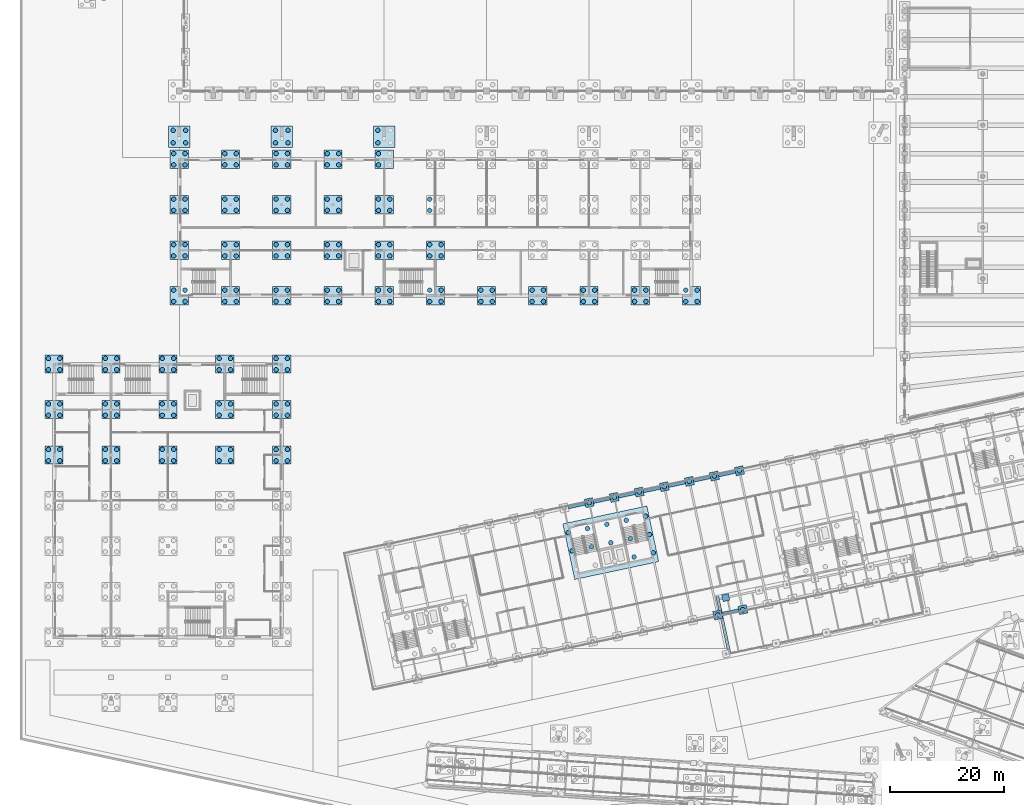
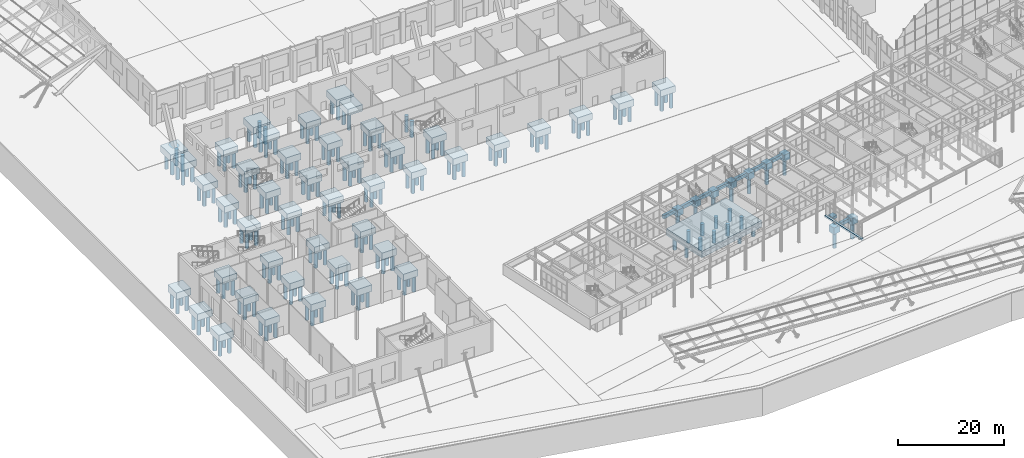
# One storey, part 2 of 239: 199 piles, 65 footings.
"""IFC4 building model written with IfcOpenShell, lengths in metres."""

from ifc_helpers import new_model, si_unit, direction, frame, origin, origin_2d, place, context, subcontext, project, spatial, rectangle, circle, extrude, material, material_profile, profile_set, type_object, element, save


model = new_model("IFC4")

# Units and contexts
model_context = context("Model", 3, precision=1e-05, world=origin(), true_north=direction((0.0, 1.0)))
body_context = subcontext(model_context, "Body", "Model", "MODEL_VIEW")
ifc_project = project(units=[si_unit("LENGTHUNIT", "METRE"), si_unit("AREAUNIT", "SQUARE_METRE"), si_unit("VOLUMEUNIT", "CUBIC_METRE"), si_unit("PLANEANGLEUNIT", "RADIAN"), si_unit("MASSUNIT", "GRAM", prefix="KILO")], contexts=[model_context])

# Site, building, storey
site_placement = place(None, origin())
site = spatial("IfcSite", under=ifc_project, at=site_placement, CompositionType="ELEMENT")
building_placement = place(site_placement, origin())
building = spatial("IfcBuilding", under=site, at=building_placement, Name="Okhra Congress Centre", CompositionType="ELEMENT")
storey_placement = place(building_placement, origin())
storey = spatial("IfcBuildingStorey", under=building, at=storey_placement, Name="L00", CompositionType="ELEMENT", Elevation=0.0)

# Piles
ifc_material_1 = material(Name="Concrete C30/37", Category="concrete")
ifc_material_profile_1 = material_profile(ifc_material_1, circle(Radius=0.39990234375, at=origin_2d()), Name="D800")
ifc_profile_set_1 = profile_set([ifc_material_profile_1], Name="Concrete C30/37")
pile_type_1 = type_object("IfcPileType", Name="Bored pile D800", PredefinedType="BORED", material=ifc_profile_set_1)
for number, where, z_axis, x_axis, name in (
    (1, (26.89990234375, 122.883544921875, -1.800048828125), (0.0, 0.0, -1.0), (1.0, 0.0, 0.0), "EH.PILE.L00.BP1.1"),
    (2, (29.10009765625, 122.883544921875, -1.800048828125), (0.0, 0.0, -1.0), (1.0, 0.0, 0.0), "EH.PILE.L00.BP1.2"),
    (3, (26.89990234375, 125.08349609375, -1.800048828125), (0.0, 0.0, -1.0), (1.0, 0.0, 0.0), "EH.PILE.L00.BP1.3"),
    (4, (29.10009765625, 125.08349609375, -1.800048828125), (0.0, 0.0, -1.0), (1.0, 0.0, 0.0), "EH.PILE.L00.BP1.4"),
    (5, (44.89990234375, 122.883544921875, -1.800048828125), (0.0, 0.0, -1.0), (1.0, 0.0, 0.0), "EH.PILE.L00.BP2.1"),
    (6, (47.10009765625, 122.883544921875, -1.800048828125), (0.0, 0.0, -1.0), (1.0, 0.0, 0.0), "EH.PILE.L00.BP2.2"),
    (7, (44.89990234375, 125.08349609375, -1.800048828125), (0.0, 0.0, -1.0), (1.0, 0.0, 0.0), "EH.PILE.L00.BP2.3"),
    (8, (47.10009765625, 125.08349609375, -1.800048828125), (0.0, 0.0, -1.0), (1.0, 0.0, 0.0), "EH.PILE.L00.BP2.4"),
    (9, (62.89990234375, 122.883544921875, -1.800048828125), (0.0, 0.0, -1.0), (1.0, 0.0, 0.0), "EH.PILE.L00.BP3.1"),
    (10, (62.89990234375, 125.08349609375, -1.800048828125), (0.0, 0.0, -1.0), (1.0, 0.0, 0.0), "EH.PILE.L00.BP3.3"),
    (11, (100.037841796875, 59.640869140625, -1.800048828125), (0.0, 0.0, -1.0), (1.0, 0.0, 0.0), "Pile 7N"),
    (12, (104.439453125, 60.576416015625, -1.800048828125), (0.0, 0.0, -1.0), (1.0, 0.0, 0.0), "Pile 8N"),
    (13, (108.841064453125, 61.511962890625, -1.800048828125), (0.0, 0.0, -1.0), (1.0, 0.0, 0.0), "Pile 9N"),
    (14, (113.24267578125, 62.447509765625, -1.800048828125), (0.0, 0.0, -1.0), (1.0, 0.0, 0.0), "Pile 10N"),
    (15, (122.63427734375, 39.90771484375, -1.800048828125), (0.0, 0.0, -1.0), (1.0, 0.0, 0.0), "Pile 11S"),
    (16, (117.64453125, 63.38330078125, -1.800048828125), (0.0, 0.0, -1.0), (1.0, 0.0, 0.0), "Pile 11N"),
    (17, (127.035888671875, 40.84326171875, -1.800048828125), (0.0, 0.0, -1.0), (1.0, 0.0, 0.0), "Pile 12S"),
    (18, (122.046142578125, 64.31884765625, -1.800048828125), (0.0, 0.0, -1.0), (1.0, 0.0, 0.0), "Pile 12N"),
    (19, (126.44775390625, 65.25439453125, -1.800048828125), (0.0, 0.0, -1.0), (1.0, 0.0, 0.0), "Pile 13N"),
):
    element("IfcPile", number, at=place(storey_placement, frame(where, z_axis=z_axis, x_axis=x_axis)), inside=storey, type_object=pile_type_1, Name=name, PredefinedType="BORED", context=body_context, shape_type="SweptSolid", body=[
        extrude(circle(Radius=0.39990234375, at=origin_2d()), origin(), (0.0, 0.0, 1.0), 3.699951171875),
    ])
for number, where, z_axis, x_axis, name in (
    (20, (97.0361328125, 51.15625, -2.800048828125), (0.0, 0.0, -1.0), (1.0, 0.0, 0.0), "Core pile 2.2"),
    (21, (96.35009765625, 54.38427734375, -2.800048828125), (0.0, 0.0, -1.0), (1.0, 0.0, 0.0), "Core pile 2.3"),
    (22, (100.435302734375, 51.87890625, -2.800048828125), (0.0, 0.0, -1.0), (1.0, 0.0, 0.0), "Core pile 2.5"),
    (23, (99.7490234375, 55.106689453125, -2.800048828125), (0.0, 0.0, -1.0), (1.0, 0.0, 0.0), "Core pile 2.6"),
    (24, (103.834228515625, 52.601318359375, -2.800048828125), (0.0, 0.0, -1.0), (1.0, 0.0, 0.0), "Core pile 2.8"),
    (25, (103.148193359375, 55.8291015625, -2.800048828125), (0.0, 0.0, -1.0), (1.0, 0.0, 0.0), "Core pile 2.9"),
    (26, (107.91943359375, 50.095947265625, -2.800048828125), (0.0, 0.0, -1.0), (1.0, 0.0, 0.0), "Core pile 2.10"),
    (27, (107.2333984375, 53.32373046875, -2.800048828125), (0.0, 0.0, -1.0), (1.0, 0.0, 0.0), "Core pile 2.11"),
    (28, (106.54736328125, 56.5517578125, -2.800048828125), (0.0, 0.0, -1.0), (1.0, 0.0, 0.0), "Core pile 2.12"),
    (29, (111.318603515625, 50.818359375, -2.800048828125), (0.0, 0.0, -1.0), (1.0, 0.0, 0.0), "Core pile 2.13"),
    (30, (110.63232421875, 54.04638671875, -2.800048828125), (0.0, 0.0, -1.0), (1.0, 0.0, 0.0), "Core pile 2.14"),
    (31, (109.9462890625, 57.274169921875, -2.800048828125), (0.0, 0.0, -1.0), (1.0, 0.0, 0.0), "Core pile 2.15"),
):
    element("IfcPile", number, at=place(storey_placement, frame(where, z_axis=z_axis, x_axis=x_axis)), inside=storey, type_object=pile_type_1, Name=name, PredefinedType="BORED", context=body_context, shape_type="SweptSolid", body=[
        extrude(circle(Radius=0.39990234375, at=origin_2d()), origin(), (0.0, 0.0, 1.0), 2.699951171875),
    ])
ifc_material_profile_2 = material_profile(ifc_material_1, circle(Radius=0.39990234375, at=origin_2d()), Name="D800")
ifc_profile_set_2 = profile_set([ifc_material_profile_2], Name="Concrete C30/37")
pile_type_2 = type_object("IfcPileType", Name="Bored pile D800 C30/37", PredefinedType="BORED", material=ifc_profile_set_2)
for number, where, z_axis, x_axis, name in (
    (32, (27.0, 95.0, -1.800048828125), (0.0, 0.0, -1.0), (1.0, 0.0, 0.0), "SV.PILE.L00.1.1"),
    (33, (29.0, 95.0, -1.800048828125), (0.0, 0.0, -1.0), (1.0, 0.0, 0.0), "SV.PILE.L00.1.2"),
    (34, (27.0, 97.0, -1.800048828125), (0.0, 0.0, -1.0), (1.0, 0.0, 0.0), "SV.PILE.L00.1.3"),
    (35, (29.0, 97.0, -1.800048828125), (0.0, 0.0, -1.0), (1.0, 0.0, 0.0), "SV.PILE.L00.1.4"),
    (36, (27.0, 103.0, -1.800048828125), (0.0, 0.0, -1.0), (1.0, 0.0, 0.0), "SV.PILE.L00.2.1"),
    (37, (29.0, 103.0, -1.800048828125), (0.0, 0.0, -1.0), (1.0, 0.0, 0.0), "SV.PILE.L00.2.2"),
    (38, (27.0, 105.0, -1.800048828125), (0.0, 0.0, -1.0), (1.0, 0.0, 0.0), "SV.PILE.L00.2.3"),
    (39, (29.0, 105.0, -1.800048828125), (0.0, 0.0, -1.0), (1.0, 0.0, 0.0), "SV.PILE.L00.2.4"),
    (40, (27.0, 111.0, -1.800048828125), (0.0, 0.0, -1.0), (1.0, 0.0, 0.0), "SV.PILE.L00.3.1"),
    (41, (29.0, 111.0, -1.800048828125), (0.0, 0.0, -1.0), (1.0, 0.0, 0.0), "SV.PILE.L00.3.2"),
    (42, (27.0, 113.0, -1.800048828125), (0.0, 0.0, -1.0), (1.0, 0.0, 0.0), "SV.PILE.L00.3.3"),
    (43, (29.0, 113.0, -1.800048828125), (0.0, 0.0, -1.0), (1.0, 0.0, 0.0), "SV.PILE.L00.3.4"),
    (44, (27.0, 119.0, -1.800048828125), (0.0, 0.0, -1.0), (1.0, 0.0, 0.0), "SV.PILE.L00.4.1"),
    (45, (29.0, 119.0, -1.800048828125), (0.0, 0.0, -1.0), (1.0, 0.0, 0.0), "SV.PILE.L00.4.2"),
    (46, (27.0, 121.0, -1.800048828125), (0.0, 0.0, -1.0), (1.0, 0.0, 0.0), "SV.PILE.L00.4.3"),
    (47, (29.0, 121.0, -1.800048828125), (0.0, 0.0, -1.0), (1.0, 0.0, 0.0), "SV.PILE.L00.4.4"),
    (48, (36.0, 95.0, -1.800048828125), (0.0, 0.0, -1.0), (1.0, 0.0, 0.0), "SV.PILE.L00.5.1"),
    (49, (38.0, 95.0, -1.800048828125), (0.0, 0.0, -1.0), (1.0, 0.0, 0.0), "SV.PILE.L00.5.2"),
    (50, (36.0, 97.0, -1.800048828125), (0.0, 0.0, -1.0), (1.0, 0.0, 0.0), "SV.PILE.L00.5.3"),
    (51, (38.0, 97.0, -1.800048828125), (0.0, 0.0, -1.0), (1.0, 0.0, 0.0), "SV.PILE.L00.5.4"),
    (52, (36.0, 103.0, -1.800048828125), (0.0, 0.0, -1.0), (1.0, 0.0, 0.0), "SV.PILE.L00.6.1"),
    (53, (38.0, 103.0, -1.800048828125), (0.0, 0.0, -1.0), (1.0, 0.0, 0.0), "SV.PILE.L00.6.2"),
    (54, (36.0, 105.0, -1.800048828125), (0.0, 0.0, -1.0), (1.0, 0.0, 0.0), "SV.PILE.L00.6.3"),
    (55, (38.0, 105.0, -1.800048828125), (0.0, 0.0, -1.0), (1.0, 0.0, 0.0), "SV.PILE.L00.6.4"),
    (56, (36.0, 111.0, -1.800048828125), (0.0, 0.0, -1.0), (1.0, 0.0, 0.0), "SV.PILE.L00.7.1"),
    (57, (38.0, 111.0, -1.800048828125), (0.0, 0.0, -1.0), (1.0, 0.0, 0.0), "SV.PILE.L00.7.2"),
    (58, (36.0, 113.0, -1.800048828125), (0.0, 0.0, -1.0), (1.0, 0.0, 0.0), "SV.PILE.L00.7.3"),
    (59, (38.0, 113.0, -1.800048828125), (0.0, 0.0, -1.0), (1.0, 0.0, 0.0), "SV.PILE.L00.7.4"),
    (60, (36.0, 119.0, -1.800048828125), (0.0, 0.0, -1.0), (1.0, 0.0, 0.0), "SV.PILE.L00.8.1"),
    (61, (38.0, 119.0, -1.800048828125), (0.0, 0.0, -1.0), (1.0, 0.0, 0.0), "SV.PILE.L00.8.2"),
    (62, (36.0, 121.0, -1.800048828125), (0.0, 0.0, -1.0), (1.0, 0.0, 0.0), "SV.PILE.L00.8.3"),
    (63, (38.0, 121.0, -1.800048828125), (0.0, 0.0, -1.0), (1.0, 0.0, 0.0), "SV.PILE.L00.8.4"),
    (64, (45.0, 95.0, -1.800048828125), (0.0, 0.0, -1.0), (1.0, 0.0, 0.0), "SV.PILE.L00.9.1"),
    (65, (47.0, 95.0, -1.800048828125), (0.0, 0.0, -1.0), (1.0, 0.0, 0.0), "SV.PILE.L00.9.2"),
    (66, (45.0, 97.0, -1.800048828125), (0.0, 0.0, -1.0), (1.0, 0.0, 0.0), "SV.PILE.L00.9.3"),
    (67, (47.0, 97.0, -1.800048828125), (0.0, 0.0, -1.0), (1.0, 0.0, 0.0), "SV.PILE.L00.9.4"),
    (68, (45.0, 103.0, -1.800048828125), (0.0, 0.0, -1.0), (1.0, 0.0, 0.0), "SV.PILE.L00.10.1"),
    (69, (47.0, 103.0, -1.800048828125), (0.0, 0.0, -1.0), (1.0, 0.0, 0.0), "SV.PILE.L00.10.2"),
    (70, (45.0, 105.0, -1.800048828125), (0.0, 0.0, -1.0), (1.0, 0.0, 0.0), "SV.PILE.L00.10.3"),
    (71, (47.0, 105.0, -1.800048828125), (0.0, 0.0, -1.0), (1.0, 0.0, 0.0), "SV.PILE.L00.10.4"),
    (72, (45.0, 111.0, -1.800048828125), (0.0, 0.0, -1.0), (1.0, 0.0, 0.0), "SV.PILE.L00.11.1"),
    (73, (47.0, 111.0, -1.800048828125), (0.0, 0.0, -1.0), (1.0, 0.0, 0.0), "SV.PILE.L00.11.2"),
    (74, (45.0, 113.0, -1.800048828125), (0.0, 0.0, -1.0), (1.0, 0.0, 0.0), "SV.PILE.L00.11.3"),
    (75, (47.0, 113.0, -1.800048828125), (0.0, 0.0, -1.0), (1.0, 0.0, 0.0), "SV.PILE.L00.11.4"),
    (76, (45.0, 119.0, -1.800048828125), (0.0, 0.0, -1.0), (1.0, 0.0, 0.0), "SV.PILE.L00.12.1"),
    (77, (47.0, 119.0, -1.800048828125), (0.0, 0.0, -1.0), (1.0, 0.0, 0.0), "SV.PILE.L00.12.2"),
    (78, (45.0, 121.0, -1.800048828125), (0.0, 0.0, -1.0), (1.0, 0.0, 0.0), "SV.PILE.L00.12.3"),
    (79, (47.0, 121.0, -1.800048828125), (0.0, 0.0, -1.0), (1.0, 0.0, 0.0), "SV.PILE.L00.12.4"),
    (80, (54.0, 95.0, -1.800048828125), (0.0, 0.0, -1.0), (1.0, 0.0, 0.0), "SV.PILE.L00.13.1"),
    (81, (56.0, 95.0, -1.800048828125), (0.0, 0.0, -1.0), (1.0, 0.0, 0.0), "SV.PILE.L00.13.2"),
    (82, (54.0, 97.0, -1.800048828125), (0.0, 0.0, -1.0), (1.0, 0.0, 0.0), "SV.PILE.L00.13.3"),
    (83, (56.0, 97.0, -1.800048828125), (0.0, 0.0, -1.0), (1.0, 0.0, 0.0), "SV.PILE.L00.13.4"),
    (84, (54.0, 103.0, -1.800048828125), (0.0, 0.0, -1.0), (1.0, 0.0, 0.0), "SV.PILE.L00.14.1"),
    (85, (56.0, 103.0, -1.800048828125), (0.0, 0.0, -1.0), (1.0, 0.0, 0.0), "SV.PILE.L00.14.2"),
    (86, (54.0, 105.0, -1.800048828125), (0.0, 0.0, -1.0), (1.0, 0.0, 0.0), "SV.PILE.L00.14.3"),
    (87, (56.0, 105.0, -1.800048828125), (0.0, 0.0, -1.0), (1.0, 0.0, 0.0), "SV.PILE.L00.14.4"),
    (88, (54.0, 111.0, -1.800048828125), (0.0, 0.0, -1.0), (1.0, 0.0, 0.0), "SV.PILE.L00.15.1"),
    (89, (56.0, 111.0, -1.800048828125), (0.0, 0.0, -1.0), (1.0, 0.0, 0.0), "SV.PILE.L00.15.2"),
    (90, (54.0, 113.0, -1.800048828125), (0.0, 0.0, -1.0), (1.0, 0.0, 0.0), "SV.PILE.L00.15.3"),
    (91, (56.0, 113.0, -1.800048828125), (0.0, 0.0, -1.0), (1.0, 0.0, 0.0), "SV.PILE.L00.15.4"),
    (92, (54.0, 119.0, -1.800048828125), (0.0, 0.0, -1.0), (1.0, 0.0, 0.0), "SV.PILE.L00.16.1"),
    (93, (56.0, 119.0, -1.800048828125), (0.0, 0.0, -1.0), (1.0, 0.0, 0.0), "SV.PILE.L00.16.2"),
    (94, (54.0, 121.0, -1.800048828125), (0.0, 0.0, -1.0), (1.0, 0.0, 0.0), "SV.PILE.L00.16.3"),
    (95, (56.0, 121.0, -1.800048828125), (0.0, 0.0, -1.0), (1.0, 0.0, 0.0), "SV.PILE.L00.16.4"),
    (96, (63.0, 95.0, -1.800048828125), (0.0, 0.0, -1.0), (1.0, 0.0, 0.0), "SV.PILE.L00.17.1"),
    (97, (65.0, 95.0, -1.800048828125), (0.0, 0.0, -1.0), (1.0, 0.0, 0.0), "SV.PILE.L00.17.2"),
    (98, (63.0, 97.0, -1.800048828125), (0.0, 0.0, -1.0), (1.0, 0.0, 0.0), "SV.PILE.L00.17.3"),
    (99, (65.0, 97.0, -1.800048828125), (0.0, 0.0, -1.0), (1.0, 0.0, 0.0), "SV.PILE.L00.17.4"),
    (100, (63.0, 103.0, -1.800048828125), (0.0, 0.0, -1.0), (1.0, 0.0, 0.0), "SV.PILE.L00.18.1"),
    (101, (65.0, 103.0, -1.800048828125), (0.0, 0.0, -1.0), (1.0, 0.0, 0.0), "SV.PILE.L00.18.2"),
    (102, (63.0, 105.0, -1.800048828125), (0.0, 0.0, -1.0), (1.0, 0.0, 0.0), "SV.PILE.L00.18.3"),
    (103, (65.0, 105.0, -1.800048828125), (0.0, 0.0, -1.0), (1.0, 0.0, 0.0), "SV.PILE.L00.18.4"),
    (104, (63.0, 111.0, -1.800048828125), (0.0, 0.0, -1.0), (1.0, 0.0, 0.0), "SV.PILE.L00.19.1"),
    (105, (65.0, 111.0, -1.800048828125), (0.0, 0.0, -1.0), (1.0, 0.0, 0.0), "SV.PILE.L00.19.2"),
    (106, (63.0, 113.0, -1.800048828125), (0.0, 0.0, -1.0), (1.0, 0.0, 0.0), "SV.PILE.L00.19.3"),
    (107, (65.0, 113.0, -1.800048828125), (0.0, 0.0, -1.0), (1.0, 0.0, 0.0), "SV.PILE.L00.19.4"),
    (108, (63.0, 119.0, -1.800048828125), (0.0, 0.0, -1.0), (1.0, 0.0, 0.0), "SV.PILE.L00.20.1"),
    (109, (63.0, 121.0, -1.800048828125), (0.0, 0.0, -1.0), (1.0, 0.0, 0.0), "SV.PILE.L00.20.3"),
    (110, (72.0, 95.0, -1.800048828125), (0.0, 0.0, -1.0), (1.0, 0.0, 0.0), "SV.PILE.L00.21.1"),
    (111, (74.0, 95.0, -1.800048828125), (0.0, 0.0, -1.0), (1.0, 0.0, 0.0), "SV.PILE.L00.21.2"),
    (112, (72.0, 97.0, -1.800048828125), (0.0, 0.0, -1.0), (1.0, 0.0, 0.0), "SV.PILE.L00.21.3"),
    (113, (74.0, 97.0, -1.800048828125), (0.0, 0.0, -1.0), (1.0, 0.0, 0.0), "SV.PILE.L00.21.4"),
    (114, (72.0, 103.0, -1.800048828125), (0.0, 0.0, -1.0), (1.0, 0.0, 0.0), "SV.PILE.L00.22.1"),
    (115, (74.0, 103.0, -1.800048828125), (0.0, 0.0, -1.0), (1.0, 0.0, 0.0), "SV.PILE.L00.22.2"),
    (116, (72.0, 105.0, -1.800048828125), (0.0, 0.0, -1.0), (1.0, 0.0, 0.0), "SV.PILE.L00.22.3"),
    (117, (74.0, 105.0, -1.800048828125), (0.0, 0.0, -1.0), (1.0, 0.0, 0.0), "SV.PILE.L00.22.4"),
    (118, (72.0, 111.0, -1.800048828125), (0.0, 0.0, -1.0), (1.0, 0.0, 0.0), "SV.PILE.L00.23.1"),
    (119, (72.0, 113.0, -1.800048828125), (0.0, 0.0, -1.0), (1.0, 0.0, 0.0), "SV.PILE.L00.23.3"),
    (120, (81.0, 95.0, -1.800048828125), (0.0, 0.0, -1.0), (1.0, 0.0, 0.0), "SV.PILE.L00.25.1"),
    (121, (83.0, 95.0, -1.800048828125), (0.0, 0.0, -1.0), (1.0, 0.0, 0.0), "SV.PILE.L00.25.2"),
    (122, (81.0, 97.0, -1.800048828125), (0.0, 0.0, -1.0), (1.0, 0.0, 0.0), "SV.PILE.L00.25.3"),
    (123, (83.0, 97.0, -1.800048828125), (0.0, 0.0, -1.0), (1.0, 0.0, 0.0), "SV.PILE.L00.25.4"),
    (124, (90.0, 95.0, -1.800048828125), (0.0, 0.0, -1.0), (1.0, 0.0, 0.0), "SV.PILE.L00.29.1"),
    (125, (92.0, 95.0, -1.800048828125), (0.0, 0.0, -1.0), (1.0, 0.0, 0.0), "SV.PILE.L00.29.2"),
    (126, (90.0, 97.0, -1.800048828125), (0.0, 0.0, -1.0), (1.0, 0.0, 0.0), "SV.PILE.L00.29.3"),
    (127, (92.0, 97.0, -1.800048828125), (0.0, 0.0, -1.0), (1.0, 0.0, 0.0), "SV.PILE.L00.29.4"),
    (128, (99.0, 95.0, -1.800048828125), (0.0, 0.0, -1.0), (1.0, 0.0, 0.0), "SV.PILE.L00.33.1"),
    (129, (101.0, 95.0, -1.800048828125), (0.0, 0.0, -1.0), (1.0, 0.0, 0.0), "SV.PILE.L00.33.2"),
    (130, (99.0, 97.0, -1.800048828125), (0.0, 0.0, -1.0), (1.0, 0.0, 0.0), "SV.PILE.L00.33.3"),
    (131, (101.0, 97.0, -1.800048828125), (0.0, 0.0, -1.0), (1.0, 0.0, 0.0), "SV.PILE.L00.33.4"),
    (132, (108.0, 95.0, -1.800048828125), (0.0, 0.0, -1.0), (1.0, 0.0, 0.0), "SV.PILE.L00.37.1"),
    (133, (110.0, 95.0, -1.800048828125), (0.0, 0.0, -1.0), (1.0, 0.0, 0.0), "SV.PILE.L00.37.2"),
    (134, (108.0, 97.0, -1.800048828125), (0.0, 0.0, -1.0), (1.0, 0.0, 0.0), "SV.PILE.L00.37.3"),
    (135, (110.0, 97.0, -1.800048828125), (0.0, 0.0, -1.0), (1.0, 0.0, 0.0), "SV.PILE.L00.37.4"),
    (136, (117.0, 95.0, -1.800048828125), (0.0, 0.0, -1.0), (1.0, 0.0, 0.0), "SV.PILE.L00.41.1"),
    (137, (119.0, 95.0, -1.800048828125), (0.0, 0.0, -1.0), (1.0, 0.0, 0.0), "SV.PILE.L00.41.2"),
    (138, (117.0, 97.0, -1.800048828125), (0.0, 0.0, -1.0), (1.0, 0.0, 0.0), "SV.PILE.L00.41.3"),
    (139, (119.0, 97.0, -1.800048828125), (0.0, 0.0, -1.0), (1.0, 0.0, 0.0), "SV.PILE.L00.41.4"),
    (140, (5.0, 67.0, -1.800048828125), (0.0, 0.0, -1.0), (1.0, 0.0, 0.0), "RS.PILE.L00.5.1"),
    (141, (7.0, 67.0, -1.800048828125), (0.0, 0.0, -1.0), (1.0, 0.0, 0.0), "RS.PILE.L00.5.2"),
    (142, (5.0, 69.0, -1.800048828125), (0.0, 0.0, -1.0), (1.0, 0.0, 0.0), "RS.PILE.L00.5.3"),
    (143, (7.0, 69.0, -1.800048828125), (0.0, 0.0, -1.0), (1.0, 0.0, 0.0), "RS.PILE.L00.5.4"),
    (144, (5.0, 75.0, -1.800048828125), (0.0, 0.0, -1.0), (1.0, 0.0, 0.0), "RS.PILE.L00.6.1"),
    (145, (7.0, 75.0, -1.800048828125), (0.0, 0.0, -1.0), (1.0, 0.0, 0.0), "RS.PILE.L00.6.2"),
    (146, (5.0, 77.0, -1.800048828125), (0.0, 0.0, -1.0), (1.0, 0.0, 0.0), "RS.PILE.L00.6.3"),
    (147, (7.0, 77.0, -1.800048828125), (0.0, 0.0, -1.0), (1.0, 0.0, 0.0), "RS.PILE.L00.6.4"),
    (148, (5.0, 83.0, -1.800048828125), (0.0, 0.0, -1.0), (1.0, 0.0, 0.0), "RS.PILE.L00.7.1"),
    (149, (7.0, 83.0, -1.800048828125), (0.0, 0.0, -1.0), (1.0, 0.0, 0.0), "RS.PILE.L00.7.2"),
    (150, (5.0, 85.0, -1.800048828125), (0.0, 0.0, -1.0), (1.0, 0.0, 0.0), "RS.PILE.L00.7.3"),
    (151, (7.0, 85.0, -1.800048828125), (0.0, 0.0, -1.0), (1.0, 0.0, 0.0), "RS.PILE.L00.7.4"),
    (152, (15.0, 67.0, -1.800048828125), (0.0, 0.0, -1.0), (1.0, 0.0, 0.0), "RS.PILE.L00.12.1"),
    (153, (17.0, 67.0, -1.800048828125), (0.0, 0.0, -1.0), (1.0, 0.0, 0.0), "RS.PILE.L00.12.2"),
    (154, (15.0, 69.0, -1.800048828125), (0.0, 0.0, -1.0), (1.0, 0.0, 0.0), "RS.PILE.L00.12.3"),
    (155, (17.0, 69.0, -1.800048828125), (0.0, 0.0, -1.0), (1.0, 0.0, 0.0), "RS.PILE.L00.12.4"),
    (156, (15.0, 75.0, -1.800048828125), (0.0, 0.0, -1.0), (1.0, 0.0, 0.0), "RS.PILE.L00.13.1"),
    (157, (17.0, 75.0, -1.800048828125), (0.0, 0.0, -1.0), (1.0, 0.0, 0.0), "RS.PILE.L00.13.2"),
    (158, (15.0, 77.0, -1.800048828125), (0.0, 0.0, -1.0), (1.0, 0.0, 0.0), "RS.PILE.L00.13.3"),
    (159, (17.0, 77.0, -1.800048828125), (0.0, 0.0, -1.0), (1.0, 0.0, 0.0), "RS.PILE.L00.13.4"),
    (160, (15.0, 83.0, -1.800048828125), (0.0, 0.0, -1.0), (1.0, 0.0, 0.0), "RS.PILE.L00.14.1"),
    (161, (17.0, 83.0, -1.800048828125), (0.0, 0.0, -1.0), (1.0, 0.0, 0.0), "RS.PILE.L00.14.2"),
    (162, (15.0, 85.0, -1.800048828125), (0.0, 0.0, -1.0), (1.0, 0.0, 0.0), "RS.PILE.L00.14.3"),
    (163, (17.0, 85.0, -1.800048828125), (0.0, 0.0, -1.0), (1.0, 0.0, 0.0), "RS.PILE.L00.14.4"),
    (164, (25.0, 67.0, -1.800048828125), (0.0, 0.0, -1.0), (1.0, 0.0, 0.0), "RS.PILE.L00.19.1"),
    (165, (27.0, 67.0, -1.800048828125), (0.0, 0.0, -1.0), (1.0, 0.0, 0.0), "RS.PILE.L00.19.2"),
    (166, (25.0, 69.0, -1.800048828125), (0.0, 0.0, -1.0), (1.0, 0.0, 0.0), "RS.PILE.L00.19.3"),
    (167, (27.0, 69.0, -1.800048828125), (0.0, 0.0, -1.0), (1.0, 0.0, 0.0), "RS.PILE.L00.19.4"),
    (168, (25.0, 75.0, -1.800048828125), (0.0, 0.0, -1.0), (1.0, 0.0, 0.0), "RS.PILE.L00.20.1"),
    (169, (27.0, 75.0, -1.800048828125), (0.0, 0.0, -1.0), (1.0, 0.0, 0.0), "RS.PILE.L00.20.2"),
    (170, (25.0, 77.0, -1.800048828125), (0.0, 0.0, -1.0), (1.0, 0.0, 0.0), "RS.PILE.L00.20.3"),
    (171, (27.0, 77.0, -1.800048828125), (0.0, 0.0, -1.0), (1.0, 0.0, 0.0), "RS.PILE.L00.20.4"),
    (172, (25.0, 83.0, -1.800048828125), (0.0, 0.0, -1.0), (1.0, 0.0, 0.0), "RS.PILE.L00.21.1"),
    (173, (27.0, 83.0, -1.800048828125), (0.0, 0.0, -1.0), (1.0, 0.0, 0.0), "RS.PILE.L00.21.2"),
    (174, (25.0, 85.0, -1.800048828125), (0.0, 0.0, -1.0), (1.0, 0.0, 0.0), "RS.PILE.L00.21.3"),
    (175, (27.0, 85.0, -1.800048828125), (0.0, 0.0, -1.0), (1.0, 0.0, 0.0), "RS.PILE.L00.21.4"),
    (176, (35.0, 67.0, -1.800048828125), (0.0, 0.0, -1.0), (1.0, 0.0, 0.0), "RS.PILE.L00.26.1"),
    (177, (37.0, 67.0, -1.800048828125), (0.0, 0.0, -1.0), (1.0, 0.0, 0.0), "RS.PILE.L00.26.2"),
    (178, (35.0, 69.0, -1.800048828125), (0.0, 0.0, -1.0), (1.0, 0.0, 0.0), "RS.PILE.L00.26.3"),
    (179, (37.0, 69.0, -1.800048828125), (0.0, 0.0, -1.0), (1.0, 0.0, 0.0), "RS.PILE.L00.26.4"),
    (180, (35.0, 75.0, -1.800048828125), (0.0, 0.0, -1.0), (1.0, 0.0, 0.0), "RS.PILE.L00.27.1"),
    (181, (37.0, 75.0, -1.800048828125), (0.0, 0.0, -1.0), (1.0, 0.0, 0.0), "RS.PILE.L00.27.2"),
    (182, (35.0, 77.0, -1.800048828125), (0.0, 0.0, -1.0), (1.0, 0.0, 0.0), "RS.PILE.L00.27.3"),
    (183, (37.0, 77.0, -1.800048828125), (0.0, 0.0, -1.0), (1.0, 0.0, 0.0), "RS.PILE.L00.27.4"),
    (184, (35.0, 83.0, -1.800048828125), (0.0, 0.0, -1.0), (1.0, 0.0, 0.0), "RS.PILE.L00.28.1"),
    (185, (37.0, 83.0, -1.800048828125), (0.0, 0.0, -1.0), (1.0, 0.0, 0.0), "RS.PILE.L00.28.2"),
    (186, (35.0, 85.0, -1.800048828125), (0.0, 0.0, -1.0), (1.0, 0.0, 0.0), "RS.PILE.L00.28.3"),
    (187, (37.0, 85.0, -1.800048828125), (0.0, 0.0, -1.0), (1.0, 0.0, 0.0), "RS.PILE.L00.28.4"),
    (188, (45.0, 67.0, -1.800048828125), (0.0, 0.0, -1.0), (1.0, 0.0, 0.0), "RS.PILE.L00.33.1"),
    (189, (47.0, 67.0, -1.800048828125), (0.0, 0.0, -1.0), (1.0, 0.0, 0.0), "RS.PILE.L00.33.2"),
    (190, (45.0, 69.0, -1.800048828125), (0.0, 0.0, -1.0), (1.0, 0.0, 0.0), "RS.PILE.L00.33.3"),
    (191, (47.0, 69.0, -1.800048828125), (0.0, 0.0, -1.0), (1.0, 0.0, 0.0), "RS.PILE.L00.33.4"),
    (192, (45.0, 75.0, -1.800048828125), (0.0, 0.0, -1.0), (1.0, 0.0, 0.0), "RS.PILE.L00.34.1"),
    (193, (47.0, 75.0, -1.800048828125), (0.0, 0.0, -1.0), (1.0, 0.0, 0.0), "RS.PILE.L00.34.2"),
    (194, (45.0, 77.0, -1.800048828125), (0.0, 0.0, -1.0), (1.0, 0.0, 0.0), "RS.PILE.L00.34.3"),
    (195, (47.0, 77.0, -1.800048828125), (0.0, 0.0, -1.0), (1.0, 0.0, 0.0), "RS.PILE.L00.34.4"),
    (196, (45.0, 83.0, -1.800048828125), (0.0, 0.0, -1.0), (1.0, 0.0, 0.0), "RS.PILE.L00.35.1"),
    (197, (47.0, 83.0, -1.800048828125), (0.0, 0.0, -1.0), (1.0, 0.0, 0.0), "RS.PILE.L00.35.2"),
    (198, (45.0, 85.0, -1.800048828125), (0.0, 0.0, -1.0), (1.0, 0.0, 0.0), "RS.PILE.L00.35.3"),
    (199, (47.0, 85.0, -1.800048828125), (0.0, 0.0, -1.0), (1.0, 0.0, 0.0), "RS.PILE.L00.35.4"),
):
    element("IfcPile", number, at=place(storey_placement, frame(where, z_axis=z_axis, x_axis=x_axis)), inside=storey, type_object=pile_type_2, Name=name, PredefinedType="BORED", context=body_context, shape_type="SweptSolid", body=[
        extrude(circle(Radius=0.39990234375, at=origin_2d()), origin(), (0.0, 0.0, 1.0), 3.699951171875),
    ])

# Footings
ifc_material_2 = material(Name="Concrete C35/45", Category="concrete")
footing_type_1 = type_object("IfcFootingType", Name="Core raft cap 15100x10000x1500", PredefinedType="PILE_CAP", material=ifc_material_2)
footing_1_placement = place(storey_placement, frame((103.834228515625, 52.601318359375, -2.89990234375), z_axis=(0.0, 0.0, 1.0), x_axis=(0.978147600734, 0.207911690818, 0.0)))
element("IfcFooting", 200, at=footing_1_placement, inside=storey, type_object=footing_type_1, Name="Core raft cap 2", PredefinedType="PILE_CAP", context=body_context, shape_type="SweptSolid", body=[
    extrude(rectangle(XDim=15.10009765625, YDim=10.0, at=origin_2d()), origin(), (0.0, 0.0, 1.0), 1.5),
])
footing_type_2 = type_object("IfcFootingType", Name="Ground beam 600x800", PredefinedType="FOOTING_BEAM", material=ifc_material_2)
for number, where, z_axis, x_axis, name in (
    (201, (124.835205078125, 40.37548828125, -1.2001953125), (0.0, 0.0, 1.0), (0.978147600734, 0.207911690818, 0.0), "Ground beam S11"),
    (202, (97.8369140625, 59.173095703125, -1.2001953125), (0.0, 0.0, 1.0), (0.978147600734, 0.207911690818, 0.0), "Ground beam N6"),
    (203, (102.238525390625, 60.108642578125, -1.2001953125), (0.0, 0.0, 1.0), (0.978147600734, 0.207911690818, 0.0), "Ground beam N7"),
    (204, (106.64013671875, 61.044189453125, -1.2001953125), (0.0, 0.0, 1.0), (0.978147600734, 0.207911690818, 0.0), "Ground beam N8"),
    (205, (111.0419921875, 61.979736328125, -1.2001953125), (0.0, 0.0, 1.0), (0.978147600734, 0.207911690818, 0.0), "Ground beam N9"),
    (206, (115.443603515625, 62.91552734375, -1.2001953125), (0.0, 0.0, 1.0), (0.978147600734, 0.207911690818, 0.0), "Ground beam N10"),
    (207, (119.84521484375, 63.85107421875, -1.2001953125), (0.0, 0.0, 1.0), (0.978147600734, 0.207911690818, 0.0), "Ground beam N11"),
    (208, (124.246826171875, 64.78662109375, -1.2001953125), (0.0, 0.0, 1.0), (0.978147600734, 0.207911690818, 0.0), "Ground beam N12"),
):
    element("IfcFooting", number, at=place(storey_placement, frame(where, z_axis=z_axis, x_axis=x_axis)), inside=storey, type_object=footing_type_2, Name=name, PredefinedType="FOOTING_BEAM", context=body_context, shape_type="SweptSolid", body=[
        extrude(rectangle(XDim=3.0, YDim=0.60009765625, at=origin_2d()), origin(), (0.0, 0.0, 1.0), 0.800048828125),
    ])
footing_type_3 = type_object("IfcFootingType", Name="Pad footing 1200x1200x600", PredefinedType="PAD_FOOTING", material=ifc_material_2)
footing_2_placement = place(storey_placement, frame((124.029296875, 42.964599609375, -1.0), z_axis=(0.0, 0.0, 1.0), x_axis=(0.978147600734, 0.207911690818, 0.0)))
element("IfcFooting", 209, at=footing_2_placement, inside=storey, type_object=footing_type_3, Name="Porch pad N1", PredefinedType="PAD_FOOTING", context=body_context, shape_type="SweptSolid", body=[
    extrude(rectangle(XDim=1.199951171875, YDim=1.199951171875, at=origin_2d()), origin(), (0.0, 0.0, 1.0), 0.60009765625),
])
footing_type_4 = type_object("IfcFootingType", Name="Pile cap 1500x1500x1500", PredefinedType="PILE_CAP", material=ifc_material_2)
for number, where, z_axis, x_axis, name in (
    (210, (100.037841796875, 59.640869140625, -1.89990234375), (0.0, 0.0, 1.0), (0.978147600734, 0.207911690818, 0.0), "Pile cap 7N"),
    (211, (104.439453125, 60.576416015625, -1.89990234375), (0.0, 0.0, 1.0), (0.978147600734, 0.207911690818, 0.0), "Pile cap 8N"),
    (212, (108.841064453125, 61.511962890625, -1.89990234375), (0.0, 0.0, 1.0), (0.978147600734, 0.207911690818, 0.0), "Pile cap 9N"),
    (213, (113.24267578125, 62.447509765625, -1.89990234375), (0.0, 0.0, 1.0), (0.978147600734, 0.207911690818, 0.0), "Pile cap 10N"),
    (214, (122.63427734375, 39.90771484375, -1.89990234375), (0.0, 0.0, 1.0), (0.978147600734, 0.207911690818, 0.0), "Pile cap 11S"),
    (215, (117.64453125, 63.38330078125, -1.89990234375), (0.0, 0.0, 1.0), (0.978147600734, 0.207911690818, 0.0), "Pile cap 11N"),
    (216, (127.035888671875, 40.84326171875, -1.89990234375), (0.0, 0.0, 1.0), (0.978147600734, 0.207911690818, 0.0), "Pile cap 12S"),
    (217, (122.046142578125, 64.31884765625, -1.89990234375), (0.0, 0.0, 1.0), (0.978147600734, 0.207911690818, 0.0), "Pile cap 12N"),
    (218, (126.44775390625, 65.25439453125, -1.89990234375), (0.0, 0.0, 1.0), (0.978147600734, 0.207911690818, 0.0), "Pile cap 13N"),
):
    element("IfcFooting", number, at=place(storey_placement, frame(where, z_axis=z_axis, x_axis=x_axis)), inside=storey, type_object=footing_type_4, Name=name, PredefinedType="PILE_CAP", context=body_context, shape_type="SweptSolid", body=[
        extrude(rectangle(XDim=1.5, YDim=1.5, at=origin_2d()), origin(), (0.0, 0.0, 1.0), 1.5),
    ])
footing_type_5 = type_object("IfcFootingType", Name="Pile cap 3200x3200x1500 C30/37", PredefinedType="PILE_CAP", material=ifc_material_1)
for number, where, z_axis, x_axis, name in (
    (219, (28.0, 96.0, -1.89990234375), (0.0, 0.0, 1.0), (1.0, 0.0, 0.0), "SV.FTG.L00.1"),
    (220, (28.0, 104.0, -1.89990234375), (0.0, 0.0, 1.0), (1.0, 0.0, 0.0), "SV.FTG.L00.2"),
    (221, (28.0, 112.0, -1.89990234375), (0.0, 0.0, 1.0), (1.0, 0.0, 0.0), "SV.FTG.L00.3"),
    (222, (28.0, 120.0, -1.89990234375), (0.0, 0.0, 1.0), (1.0, 0.0, 0.0), "SV.FTG.L00.4"),
    (223, (37.0, 96.0, -1.89990234375), (0.0, 0.0, 1.0), (1.0, 0.0, 0.0), "SV.FTG.L00.5"),
    (224, (37.0, 104.0, -1.89990234375), (0.0, 0.0, 1.0), (1.0, 0.0, 0.0), "SV.FTG.L00.6"),
    (225, (37.0, 112.0, -1.89990234375), (0.0, 0.0, 1.0), (1.0, 0.0, 0.0), "SV.FTG.L00.7"),
    (226, (37.0, 120.0, -1.89990234375), (0.0, 0.0, 1.0), (1.0, 0.0, 0.0), "SV.FTG.L00.8"),
    (227, (46.0, 96.0, -1.89990234375), (0.0, 0.0, 1.0), (1.0, 0.0, 0.0), "SV.FTG.L00.9"),
    (228, (46.0, 104.0, -1.89990234375), (0.0, 0.0, 1.0), (1.0, 0.0, 0.0), "SV.FTG.L00.10"),
    (229, (46.0, 112.0, -1.89990234375), (0.0, 0.0, 1.0), (1.0, 0.0, 0.0), "SV.FTG.L00.11"),
    (230, (46.0, 120.0, -1.89990234375), (0.0, 0.0, 1.0), (1.0, 0.0, 0.0), "SV.FTG.L00.12"),
    (231, (55.0, 96.0, -1.89990234375), (0.0, 0.0, 1.0), (1.0, 0.0, 0.0), "SV.FTG.L00.13"),
    (232, (55.0, 104.0, -1.89990234375), (0.0, 0.0, 1.0), (1.0, 0.0, 0.0), "SV.FTG.L00.14"),
    (233, (55.0, 112.0, -1.89990234375), (0.0, 0.0, 1.0), (1.0, 0.0, 0.0), "SV.FTG.L00.15"),
    (234, (55.0, 120.0, -1.89990234375), (0.0, 0.0, 1.0), (1.0, 0.0, 0.0), "SV.FTG.L00.16"),
    (235, (64.0, 96.0, -1.89990234375), (0.0, 0.0, 1.0), (1.0, 0.0, 0.0), "SV.FTG.L00.17"),
    (236, (64.0, 104.0, -1.89990234375), (0.0, 0.0, 1.0), (1.0, 0.0, 0.0), "SV.FTG.L00.18"),
    (237, (64.0, 112.0, -1.89990234375), (0.0, 0.0, 1.0), (1.0, 0.0, 0.0), "SV.FTG.L00.19"),
    (238, (64.0, 120.0, -1.89990234375), (0.0, 0.0, 1.0), (1.0, 0.0, 0.0), "SV.FTG.L00.20"),
    (239, (73.0, 96.0, -1.89990234375), (0.0, 0.0, 1.0), (1.0, 0.0, 0.0), "SV.FTG.L00.21"),
    (240, (73.0, 104.0, -1.89990234375), (0.0, 0.0, 1.0), (1.0, 0.0, 0.0), "SV.FTG.L00.22"),
    (241, (82.0, 96.0, -1.89990234375), (0.0, 0.0, 1.0), (1.0, 0.0, 0.0), "SV.FTG.L00.25"),
    (242, (91.0, 96.0, -1.89990234375), (0.0, 0.0, 1.0), (1.0, 0.0, 0.0), "SV.FTG.L00.29"),
    (243, (100.0, 96.0, -1.89990234375), (0.0, 0.0, 1.0), (1.0, 0.0, 0.0), "SV.FTG.L00.33"),
    (244, (109.0, 96.0, -1.89990234375), (0.0, 0.0, 1.0), (1.0, 0.0, 0.0), "SV.FTG.L00.37"),
    (245, (118.0, 96.0, -1.89990234375), (0.0, 0.0, 1.0), (1.0, 0.0, 0.0), "SV.FTG.L00.41"),
    (246, (6.0, 68.0, -1.89990234375), (0.0, 0.0, 1.0), (1.0, 0.0, 0.0), "RS.FTG.L00.5"),
    (247, (6.0, 76.0, -1.89990234375), (0.0, 0.0, 1.0), (1.0, 0.0, 0.0), "RS.FTG.L00.6"),
    (248, (6.0, 84.0, -1.89990234375), (0.0, 0.0, 1.0), (1.0, 0.0, 0.0), "RS.FTG.L00.7"),
    (249, (16.0, 68.0, -1.89990234375), (0.0, 0.0, 1.0), (1.0, 0.0, 0.0), "RS.FTG.L00.12"),
    (250, (16.0, 76.0, -1.89990234375), (0.0, 0.0, 1.0), (1.0, 0.0, 0.0), "RS.FTG.L00.13"),
    (251, (16.0, 84.0, -1.89990234375), (0.0, 0.0, 1.0), (1.0, 0.0, 0.0), "RS.FTG.L00.14"),
    (252, (26.0, 68.0, -1.89990234375), (0.0, 0.0, 1.0), (1.0, 0.0, 0.0), "RS.FTG.L00.19"),
    (253, (26.0, 76.0, -1.89990234375), (0.0, 0.0, 1.0), (1.0, 0.0, 0.0), "RS.FTG.L00.20"),
    (254, (26.0, 84.0, -1.89990234375), (0.0, 0.0, 1.0), (1.0, 0.0, 0.0), "RS.FTG.L00.21"),
    (255, (36.0, 68.0, -1.89990234375), (0.0, 0.0, 1.0), (1.0, 0.0, 0.0), "RS.FTG.L00.26"),
    (256, (36.0, 76.0, -1.89990234375), (0.0, 0.0, 1.0), (1.0, 0.0, 0.0), "RS.FTG.L00.27"),
    (257, (36.0, 84.0, -1.89990234375), (0.0, 0.0, 1.0), (1.0, 0.0, 0.0), "RS.FTG.L00.28"),
    (258, (46.0, 68.0, -1.89990234375), (0.0, 0.0, 1.0), (1.0, 0.0, 0.0), "RS.FTG.L00.33"),
    (259, (46.0, 76.0, -1.89990234375), (0.0, 0.0, 1.0), (1.0, 0.0, 0.0), "RS.FTG.L00.34"),
    (260, (46.0, 84.0, -1.89990234375), (0.0, 0.0, 1.0), (1.0, 0.0, 0.0), "RS.FTG.L00.35"),
):
    element("IfcFooting", number, at=place(storey_placement, frame(where, z_axis=z_axis, x_axis=x_axis)), inside=storey, type_object=footing_type_5, Name=name, PredefinedType="PILE_CAP", context=body_context, shape_type="SweptSolid", body=[
        extrude(rectangle(XDim=3.199951171875, YDim=3.199951171875, at=origin_2d()), origin(), (0.0, 0.0, 1.0), 1.5),
    ])
footing_type_6 = type_object("IfcFootingType", Name="Pile cap 3800x3800x1500 C30/37", PredefinedType="PILE_CAP", material=ifc_material_1)
for number, where, z_axis, x_axis, name in (
    (261, (28.0, 123.9833984375, -1.89990234375), (0.0, 0.0, 1.0), (1.0, 0.0, 0.0), "EH.FTG.L00.BP1"),
    (262, (46.0, 123.9833984375, -1.89990234375), (0.0, 0.0, 1.0), (1.0, 0.0, 0.0), "EH.FTG.L00.BP2"),
    (263, (64.0, 123.9833984375, -1.89990234375), (0.0, 0.0, 1.0), (1.0, 0.0, 0.0), "EH.FTG.L00.BP3"),
):
    element("IfcFooting", number, at=place(storey_placement, frame(where, z_axis=z_axis, x_axis=x_axis)), inside=storey, type_object=footing_type_6, Name=name, PredefinedType="PILE_CAP", context=body_context, shape_type="SweptSolid", body=[
        extrude(rectangle(XDim=3.800048828125, YDim=3.800048828125, at=origin_2d()), origin(), (0.0, 0.0, 1.0), 1.5),
    ])
footing_type_7 = type_object("IfcFootingType", Name="Strip footing 500x400", PredefinedType="STRIP_FOOTING", material=ifc_material_2)
footing_3_placement = place(storey_placement, frame((123.6396484375, 38.06396484375, -0.39990234375), z_axis=(0.0, 0.0, 1.0), x_axis=(0.978147600734, 0.207911690818, 0.0)))
element("IfcFooting", 264, at=footing_3_placement, inside=storey, type_object=footing_type_7, Name="Porch glazing strip footing 1", PredefinedType="STRIP_FOOTING", context=body_context, shape_type="SweptSolid", body=[
    extrude(rectangle(XDim=0.5, YDim=10.375, at=origin_2d()), origin(), (0.0, 0.0, 1.0), 0.39990234375),
])

save(model, "model.ifc")
